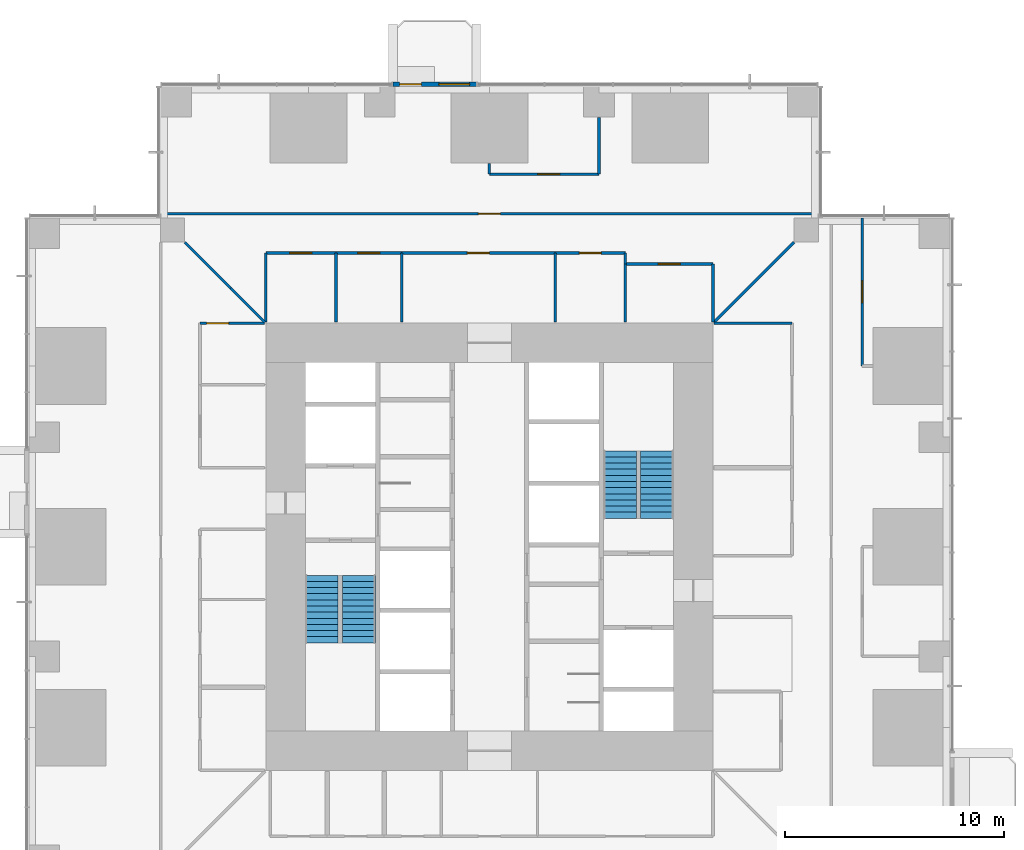
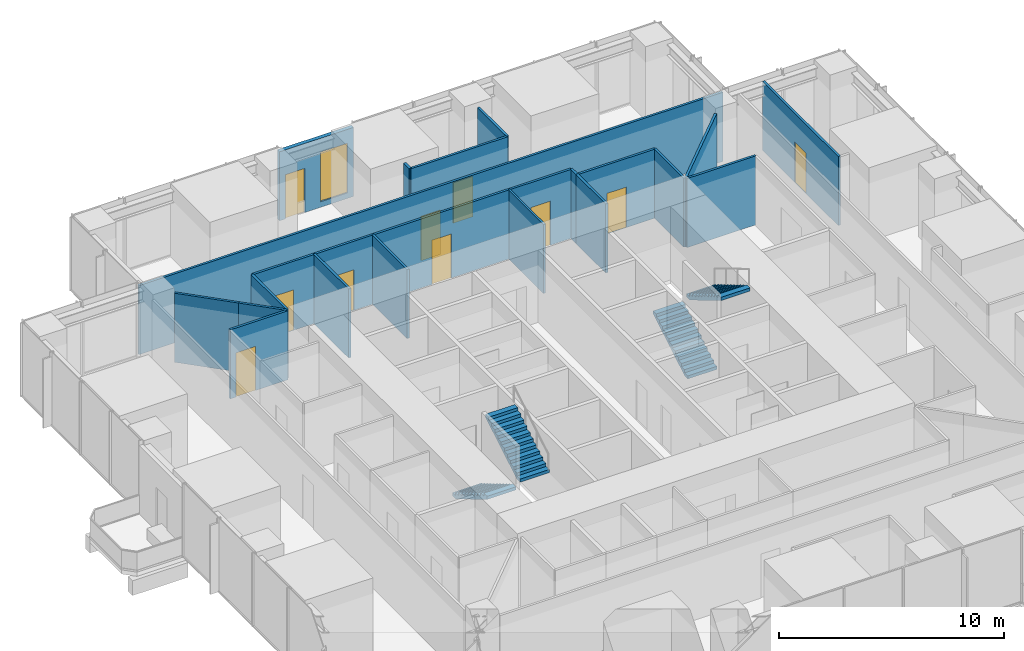
# One storey, part 12 of 15: 23 walls, 10 doors, 4 stair flights, 1 window, 11 openings, 2 elements without a shape of their own.
"""IFC4 building model written with IfcOpenShell, lengths in metres."""

from ifc_helpers import new_model, si_unit, direction, frame, frame_2d, origin, place, context, subcontext, project, spatial, polyline, rectangle, outline, extrude, material, layer, layer_set, type_object, element, fill, aggregate, save


model = new_model("IFC4")

# Units and contexts
model_context = context("Model", 3, precision=1e-05, world=origin(), true_north=direction((0.0, 1.0)))
body_context = subcontext(model_context, "Body", "Model", "MODEL_VIEW")
ifc_project = project(units=[si_unit("LENGTHUNIT", "METRE"), si_unit("AREAUNIT", "SQUARE_METRE"), si_unit("VOLUMEUNIT", "CUBIC_METRE"), si_unit("PLANEANGLEUNIT", "RADIAN"), si_unit("MASSUNIT", "GRAM", prefix="KILO")], contexts=[model_context])

# Site, building, storey
site_placement = place(None, origin())
site = spatial("IfcSite", under=ifc_project, at=site_placement, CompositionType="ELEMENT")
building_placement = place(site_placement, origin())
building = spatial("IfcBuilding", under=site, at=building_placement, Name="Svetlomir Tower", CompositionType="ELEMENT")
storey_placement = place(building_placement, frame((0.0, 0.0, 66.5)))
storey = spatial("IfcBuildingStorey", under=building, at=storey_placement, Name="L15", CompositionType="ELEMENT", Elevation=66.5)

# Wall, openings, door, window
ifc_material_1 = material(Name="Bronze anodised aluminium glazed screen", Category="aluminium")
ifc_layer_1 = layer(ifc_material_1, 0.199951171875)
ifc_layer_set_1 = layer_set([ifc_layer_1], Name="Bronze anodised aluminium glazed screen")
wall_type_1 = type_object("IfcWallType", Name="BALCONY SCREEN WALL 200", PredefinedType="USERDEFINED", material=ifc_layer_set_1)
wall_1_placement = place(storey_placement, frame((20.39990234375, 42.10009765625, 0.0), z_axis=(0.0, 0.0, 1.0), x_axis=(-1.0, 0.0, 0.0)))
wall_1 = element("IfcWall", 1, at=wall_1_placement, inside=storey, type_object=wall_type_1, Name="Balcony screen N", ObjectType="GLAZED SCREEN", PredefinedType="USERDEFINED", context=body_context, shape_type="SweptSolid", body=[
    extrude(rectangle(XDim=3.7998046875, YDim=0.199951171875, at=frame_2d((1.89990234375, 0.0))), origin(), (0.0, 0.0, 1.0), 3.75),
])
opening_1_placement = place(wall_1_placement, frame((2.5, 0.0, 0.0)))
opening_1 = element("IfcOpeningElement", 2, at=opening_1_placement, cuts=wall_1, Name="Opening BD", PredefinedType="OPENING", context=body_context, shape_type="SweptSolid", body=[
    extrude(rectangle(XDim=1.0, YDim=2.39990234375, at=frame_2d((0.5, 1.199951171875))), frame((0.0, 0.10986328125, 0.0), z_axis=(0.0, -1.0, 0.0), x_axis=(1.0, 0.0, 0.0)), (0.0, 0.0, 1.0), 0.219970703125),
])
opening_2_placement = place(wall_1_placement, frame((0.300048828125, 0.0, 0.300048828125)))
opening_2 = element("IfcOpeningElement", 3, at=opening_2_placement, cuts=wall_1, Name="Opening WS2", PredefinedType="OPENING", context=body_context, shape_type="SweptSolid", body=[
    extrude(rectangle(XDim=1.39990234375, YDim=2.699951171875, at=frame_2d((0.699951171875, 1.35009765625))), frame((0.0, 0.10986328125, 0.0), z_axis=(0.0, -1.0, 0.0), x_axis=(1.0, 0.0, 0.0)), (0.0, 0.0, 1.0), 0.219970703125),
])
ifc_material_2 = material(Name="Bronze anodised aluminium glazed door", Category="aluminium")
door_type_1 = type_object("IfcDoorType", Name="BALCONY DOOR BD 1000x2400", OperationType="SINGLE_SWING_LEFT", PredefinedType="DOOR", material=ifc_material_2)
door_1_placement = place(opening_1_placement, origin())
door_1 = element("IfcDoor", 4, at=door_1_placement, inside=storey, type_object=door_type_1, Name="Balcony screen N door", OperationType="SINGLE_SWING_LEFT", OverallHeight=2.39990234375, OverallWidth=1.0, PredefinedType="DOOR", context=body_context, shape_type="SweptSolid", body=[
    extrude(rectangle(XDim=1.0, YDim=2.39990234375, at=frame_2d((0.5, 1.199951171875))), frame((0.0, 0.02490234375, 0.0), z_axis=(0.0, -1.0, 0.0), x_axis=(1.0, 0.0, 0.0)), (0.0, 0.0, 1.0), 0.050048828125),
])
fill(opening_1, door_1)
ifc_material_3 = material(Name="Bronze anodised aluminium window", Category="aluminium")
window_type = type_object("IfcWindowType", Name="SCREEN WINDOW WS2 1400x2700", PartitioningType="SINGLE_PANEL", PredefinedType="WINDOW", material=ifc_material_3)
window_placement = place(opening_2_placement, origin())
window = element("IfcWindow", 5, at=window_placement, inside=storey, type_object=window_type, Name="Balcony screen N window 1", OverallHeight=2.699951171875, OverallWidth=1.39990234375, PartitioningType="SINGLE_PANEL", PredefinedType="WINDOW", context=body_context, shape_type="SweptSolid", body=[
    extrude(rectangle(XDim=1.39990234375, YDim=2.699951171875, at=frame_2d((0.699951171875, 1.35009765625))), frame((0.0, 0.030029296875, 0.0), z_axis=(0.0, -1.0, 0.0), x_axis=(1.0, 0.0, 0.0)), (0.0, 0.0, 1.0), 0.06005859375),
])
fill(opening_2, window)

# Wall
ifc_material_4 = material(Name="Framed laminated glass partition", Category="glass")
ifc_layer_2 = layer(ifc_material_4, 0.10009765625)
ifc_layer_set_2 = layer_set([ifc_layer_2], Name="Framed laminated glass partition")
wall_type_2 = type_object("IfcWallType", Name="GLAZED PARTITION 100", PredefinedType="PARTITIONING", material=ifc_layer_set_2)
wall_2_placement = place(storey_placement, frame((24.0, 31.25, 0.0), z_axis=(0.0, 0.0, 1.0), x_axis=(0.0, 1.0, 0.0)))
element("IfcWall", 6, at=wall_2_placement, inside=storey, type_object=wall_type_2, Name="Glazed partition L15", PredefinedType="PARTITIONING", context=body_context, shape_type="SweptSolid", body=[
    extrude(rectangle(XDim=3.14990234375, YDim=0.10009765625, at=frame_2d((1.574951171875, 0.0))), origin(), (0.0, 0.0, 1.0), 3.75),
])

# Wall, opening, door
ifc_material_5 = material(Name="Gypsum board on steel studs", Category="steel")
ifc_layer_3 = layer(ifc_material_5, 0.1201171875)
ifc_layer_set_3 = layer_set([ifc_layer_3], Name="Gypsum board on steel studs")
wall_type_3 = type_object("IfcWallType", Name="PARTITION 120", PredefinedType="PARTITIONING", material=ifc_layer_set_3)
wall_3_placement = place(storey_placement, frame((6.0, 36.199951171875, 0.0), z_axis=(0.0, 0.0, 1.0), x_axis=(1.0, 0.0, 0.0)))
wall_3 = element("IfcWall", 7, at=wall_3_placement, inside=storey, type_object=wall_type_3, Name="Partition L15", PredefinedType="PARTITIONING", context=body_context, shape_type="SweptSolid", body=[
    extrude(rectangle(XDim=30.0, YDim=0.1201171875, at=frame_2d((15.0, 0.0))), origin(), (0.0, 0.0, 1.0), 3.75),
])
opening_3_placement = place(wall_3_placement, frame((14.5, 0.0, 0.0)))
opening_3 = element("IfcOpeningElement", 8, at=opening_3_placement, cuts=wall_3, Name="Opening DG", PredefinedType="OPENING", context=body_context, shape_type="SweptSolid", body=[
    extrude(rectangle(XDim=1.0, YDim=2.39990234375, at=frame_2d((0.5, 1.199951171875))), frame((0.0, 0.070068359375, 0.0), z_axis=(0.0, -1.0, 0.0), x_axis=(1.0, 0.0, 0.0)), (0.0, 0.0, 1.0), 0.14013671875),
])
ifc_material_6 = material(Name="Framed laminated glass door", Category="glass")
door_type_2 = type_object("IfcDoorType", Name="GLAZED DOOR DG 1000x2400", OperationType="SINGLE_SWING_LEFT", PredefinedType="DOOR", material=ifc_material_6)
door_2_placement = place(opening_3_placement, origin())
door_2 = element("IfcDoor", 9, at=door_2_placement, inside=storey, type_object=door_type_2, Name="Ring corridor 4 door 1 L15", OperationType="SINGLE_SWING_RIGHT", OverallHeight=2.39990234375, OverallWidth=1.0, PredefinedType="DOOR", context=body_context, shape_type="SweptSolid", body=[
    extrude(rectangle(XDim=1.0, YDim=2.39990234375, at=frame_2d((0.5, 1.199951171875))), frame((0.0, 0.02490234375, 0.0), z_axis=(0.0, -1.0, 0.0), x_axis=(1.0, 0.0, 0.0)), (0.0, 0.0, 1.0), 0.050048828125),
])
fill(opening_3, door_2)

# Wall
wall_4_placement = place(storey_placement, frame((7.110107421875, 34.889892578125, 0.0), z_axis=(0.0, 0.0, 1.0), x_axis=(0.707106781187, -0.707106781187, 0.0)))
element("IfcWall", 10, at=wall_4_placement, inside=storey, type_object=wall_type_3, Name="Partition L15", PredefinedType="PARTITIONING", context=body_context, shape_type="SweptSolid", body=[
    extrude(rectangle(XDim=2.949951171875, YDim=0.1201171875, at=frame_2d((1.47509765625, 0.0))), origin(), (0.0, 0.0, 1.0), 3.75),
])

# Wall, opening, door
wall_5_placement = place(storey_placement, frame((7.800048828125, 31.199951171875, 0.0), z_axis=(0.0, 0.0, 1.0), x_axis=(1.0, 0.0, 0.0)))
wall_5 = element("IfcWall", 11, at=wall_5_placement, inside=storey, type_object=wall_type_3, Name="Partition L15", PredefinedType="PARTITIONING", context=body_context, shape_type="SweptSolid", body=[
    extrude(rectangle(XDim=2.949951171875, YDim=0.1201171875, at=frame_2d((1.47509765625, 0.0))), origin(), (0.0, 0.0, 1.0), 3.75),
])
opening_4_placement = place(wall_5_placement, frame((0.300048828125, 0.0, 0.0)))
opening_4 = element("IfcOpeningElement", 12, at=opening_4_placement, cuts=wall_5, Name="Opening DG", PredefinedType="OPENING", context=body_context, shape_type="SweptSolid", body=[
    extrude(rectangle(XDim=1.0, YDim=2.39990234375, at=frame_2d((0.5, 1.199951171875))), frame((0.0, 0.070068359375, 0.0), z_axis=(0.0, -1.0, 0.0), x_axis=(1.0, 0.0, 0.0)), (0.0, 0.0, 1.0), 0.14013671875),
])
door_3_placement = place(opening_4_placement, origin())
door_3 = element("IfcDoor", 13, at=door_3_placement, inside=storey, type_object=door_type_2, Name="Ring corridor 3 door 2 L15", OperationType="SINGLE_SWING_LEFT", OverallHeight=2.39990234375, OverallWidth=1.0, PredefinedType="DOOR", context=body_context, shape_type="SweptSolid", body=[
    extrude(rectangle(XDim=1.0, YDim=2.39990234375, at=frame_2d((0.5, 1.199951171875))), frame((0.0, 0.02490234375, 0.0), z_axis=(0.0, -1.0, 0.0), x_axis=(1.0, 0.0, 0.0)), (0.0, 0.0, 1.0), 0.050048828125),
])
fill(opening_4, door_3)

# Walls
wall_6_placement = place(storey_placement, frame((9.196044921875, 32.803955078125, 0.0), z_axis=(0.0, 0.0, 1.0), x_axis=(0.707106781187, -0.707106781187, 0.0)))
element("IfcWall", 14, at=wall_6_placement, inside=storey, type_object=wall_type_3, Name="Partition L15", PredefinedType="PARTITIONING", context=body_context, shape_type="SweptSolid", body=[
    extrude(rectangle(XDim=2.21826171875, YDim=0.1201171875, at=frame_2d((1.109130859375, 0.0))), origin(), (0.0, 0.0, 1.0), 3.75),
])
wall_7_placement = place(storey_placement, frame((10.800048828125, 31.25, 0.0), z_axis=(0.0, 0.0, 1.0), x_axis=(0.0, 1.0, 0.0)))
element("IfcWall", 15, at=wall_7_placement, inside=storey, type_object=wall_type_3, Name="Partition L15", PredefinedType="PARTITIONING", context=body_context, shape_type="SweptSolid", body=[
    extrude(rectangle(XDim=3.14990234375, YDim=0.1201171875, at=frame_2d((1.574951171875, 0.0))), origin(), (0.0, 0.0, 1.0), 3.75),
])

# Wall, opening, door
wall_8_placement = place(storey_placement, frame((10.800048828125, 34.39990234375, 0.0), z_axis=(0.0, 0.0, 1.0), x_axis=(1.0, 0.0, 0.0)))
wall_8 = element("IfcWall", 16, at=wall_8_placement, inside=storey, type_object=wall_type_3, Name="Partition L15", PredefinedType="PARTITIONING", context=body_context, shape_type="SweptSolid", body=[
    extrude(rectangle(XDim=3.199951171875, YDim=0.1201171875, at=frame_2d((1.60009765625, 0.0))), origin(), (0.0, 0.0, 1.0), 3.75),
])
opening_5_placement = place(wall_8_placement, frame((1.10009765625, 0.0, 0.0)))
opening_5 = element("IfcOpeningElement", 17, at=opening_5_placement, cuts=wall_8, Name="Opening DR", PredefinedType="OPENING", context=body_context, shape_type="SweptSolid", body=[
    extrude(rectangle(XDim=1.0, YDim=2.199951171875, at=frame_2d((0.5, 1.10009765625))), frame((0.0, 0.070068359375, 0.0), z_axis=(0.0, -1.0, 0.0), x_axis=(1.0, 0.0, 0.0)), (0.0, 0.0, 1.0), 0.14013671875),
])
ifc_material_7 = material(Name="Timber door, glazed side light", Category="wood")
door_type_3 = type_object("IfcDoorType", Name="DOOR DR 1000x2200", OperationType="SINGLE_SWING_LEFT", PredefinedType="DOOR", material=ifc_material_7)
door_4_placement = place(opening_5_placement, origin())
door_4 = element("IfcDoor", 18, at=door_4_placement, inside=storey, type_object=door_type_3, Name="Wellness room door L15", OperationType="SINGLE_SWING_LEFT", OverallHeight=2.199951171875, OverallWidth=1.0, PredefinedType="DOOR", context=body_context, shape_type="SweptSolid", body=[
    extrude(rectangle(XDim=1.0, YDim=2.199951171875, at=frame_2d((0.5, 1.10009765625))), frame((0.0, 0.02490234375, 0.0), z_axis=(0.0, -1.0, 0.0), x_axis=(1.0, 0.0, 0.0)), (0.0, 0.0, 1.0), 0.050048828125),
])
fill(opening_5, door_4)

# Wall
wall_9_placement = place(storey_placement, frame((14.0, 31.25, 0.0), z_axis=(0.0, 0.0, 1.0), x_axis=(0.0, 1.0, 0.0)))
element("IfcWall", 19, at=wall_9_placement, inside=storey, type_object=wall_type_3, Name="Partition L15", PredefinedType="PARTITIONING", context=body_context, shape_type="SweptSolid", body=[
    extrude(rectangle(XDim=3.14990234375, YDim=0.1201171875, at=frame_2d((1.574951171875, 0.0))), origin(), (0.0, 0.0, 1.0), 3.75),
])

# Wall, opening, door
wall_10_placement = place(storey_placement, frame((14.0, 34.39990234375, 0.0), z_axis=(0.0, 0.0, 1.0), x_axis=(1.0, 0.0, 0.0)))
wall_10 = element("IfcWall", 20, at=wall_10_placement, inside=storey, type_object=wall_type_3, Name="Partition L15", PredefinedType="PARTITIONING", context=body_context, shape_type="SweptSolid", body=[
    extrude(rectangle(XDim=3.0, YDim=0.1201171875, at=frame_2d((1.5, 0.0))), origin(), (0.0, 0.0, 1.0), 3.75),
])
opening_6_placement = place(wall_10_placement, frame((1.0, 0.0, 0.0)))
opening_6 = element("IfcOpeningElement", 21, at=opening_6_placement, cuts=wall_10, Name="Opening DR", PredefinedType="OPENING", context=body_context, shape_type="SweptSolid", body=[
    extrude(rectangle(XDim=1.0, YDim=2.199951171875, at=frame_2d((0.5, 1.10009765625))), frame((0.0, 0.070068359375, 0.0), z_axis=(0.0, -1.0, 0.0), x_axis=(1.0, 0.0, 0.0)), (0.0, 0.0, 1.0), 0.14013671875),
])
door_5_placement = place(opening_6_placement, origin())
door_5 = element("IfcDoor", 22, at=door_5_placement, inside=storey, type_object=door_type_3, Name="Parents' room door L15", OperationType="SINGLE_SWING_RIGHT", OverallHeight=2.199951171875, OverallWidth=1.0, PredefinedType="DOOR", context=body_context, shape_type="SweptSolid", body=[
    extrude(rectangle(XDim=1.0, YDim=2.199951171875, at=frame_2d((0.5, 1.10009765625))), frame((0.0, 0.02490234375, 0.0), z_axis=(0.0, -1.0, 0.0), x_axis=(1.0, 0.0, 0.0)), (0.0, 0.0, 1.0), 0.050048828125),
])
fill(opening_6, door_5)

# Wall
wall_11_placement = place(storey_placement, frame((17.0, 31.25, 0.0), z_axis=(0.0, 0.0, 1.0), x_axis=(0.0, 1.0, 0.0)))
element("IfcWall", 23, at=wall_11_placement, inside=storey, type_object=wall_type_3, Name="Partition L15", PredefinedType="PARTITIONING", context=body_context, shape_type="SweptSolid", body=[
    extrude(rectangle(XDim=3.14990234375, YDim=0.1201171875, at=frame_2d((1.574951171875, 0.0))), origin(), (0.0, 0.0, 1.0), 3.75),
])

# Wall, opening, door
wall_12_placement = place(storey_placement, frame((17.0, 34.39990234375, 0.0), z_axis=(0.0, 0.0, 1.0), x_axis=(1.0, 0.0, 0.0)))
wall_12 = element("IfcWall", 24, at=wall_12_placement, inside=storey, type_object=wall_type_3, Name="Partition L15", PredefinedType="PARTITIONING", context=body_context, shape_type="SweptSolid", body=[
    extrude(rectangle(XDim=7.0, YDim=0.1201171875, at=frame_2d((3.5, 0.0))), origin(), (0.0, 0.0, 1.0), 3.75),
])
opening_7_placement = place(wall_12_placement, frame((3.0, 0.0, 0.0)))
opening_7 = element("IfcOpeningElement", 25, at=opening_7_placement, cuts=wall_12, Name="Opening DG", PredefinedType="OPENING", context=body_context, shape_type="SweptSolid", body=[
    extrude(rectangle(XDim=1.0, YDim=2.39990234375, at=frame_2d((0.5, 1.199951171875))), frame((0.0, 0.070068359375, 0.0), z_axis=(0.0, -1.0, 0.0), x_axis=(1.0, 0.0, 0.0)), (0.0, 0.0, 1.0), 0.14013671875),
])
door_6_placement = place(opening_7_placement, origin())
door_6 = element("IfcDoor", 26, at=door_6_placement, inside=storey, type_object=door_type_2, Name="Ring corridor 4 door 2 L15", OperationType="SINGLE_SWING_LEFT", OverallHeight=2.39990234375, OverallWidth=1.0, PredefinedType="DOOR", context=body_context, shape_type="SweptSolid", body=[
    extrude(rectangle(XDim=1.0, YDim=2.39990234375, at=frame_2d((0.5, 1.199951171875))), frame((0.0, 0.02490234375, 0.0), z_axis=(0.0, -1.0, 0.0), x_axis=(1.0, 0.0, 0.0)), (0.0, 0.0, 1.0), 0.050048828125),
])
fill(opening_7, door_6)

# Wall
wall_13_placement = place(storey_placement, frame((21.0, 38.0, 0.0), z_axis=(0.0, 0.0, 1.0), x_axis=(0.0, 1.0, 0.0)))
element("IfcWall", 27, at=wall_13_placement, inside=storey, type_object=wall_type_3, Name="Partition L15", PredefinedType="PARTITIONING", context=body_context, shape_type="SweptSolid", body=[
    extrude(rectangle(XDim=0.489990234375, YDim=0.1201171875, at=frame_2d((0.2451171875, 0.0))), origin(), (0.0, 0.0, 1.0), 3.75),
])

# Wall, opening, door
wall_14_placement = place(storey_placement, frame((21.0, 38.0, 0.0), z_axis=(0.0, 0.0, 1.0), x_axis=(1.0, 0.0, 0.0)))
wall_14 = element("IfcWall", 28, at=wall_14_placement, inside=storey, type_object=wall_type_3, Name="Partition L15", PredefinedType="PARTITIONING", context=body_context, shape_type="SweptSolid", body=[
    extrude(rectangle(XDim=5.0, YDim=0.1201171875, at=frame_2d((2.5, 0.0))), origin(), (0.0, 0.0, 1.0), 3.75),
])
opening_8_placement = place(wall_14_placement, frame((2.199951171875, 0.0, 0.0)))
opening_8 = element("IfcOpeningElement", 29, at=opening_8_placement, cuts=wall_14, Name="Opening DR", PredefinedType="OPENING", context=body_context, shape_type="SweptSolid", body=[
    extrude(rectangle(XDim=1.0, YDim=2.199951171875, at=frame_2d((0.5, 1.10009765625))), frame((0.0, 0.070068359375, 0.0), z_axis=(0.0, -1.0, 0.0), x_axis=(1.0, 0.0, 0.0)), (0.0, 0.0, 1.0), 0.14013671875),
])
door_7_placement = place(opening_8_placement, origin())
door_7 = element("IfcDoor", 30, at=door_7_placement, inside=storey, type_object=door_type_3, Name="Learning partner office door L15", OperationType="SINGLE_SWING_LEFT", OverallHeight=2.199951171875, OverallWidth=1.0, PredefinedType="DOOR", context=body_context, shape_type="SweptSolid", body=[
    extrude(rectangle(XDim=1.0, YDim=2.199951171875, at=frame_2d((0.5, 1.10009765625))), frame((0.0, 0.02490234375, 0.0), z_axis=(0.0, -1.0, 0.0), x_axis=(1.0, 0.0, 0.0)), (0.0, 0.0, 1.0), 0.050048828125),
])
fill(opening_8, door_7)

wall_15_placement = place(storey_placement, frame((24.0, 34.39990234375, 0.0), z_axis=(0.0, 0.0, 1.0), x_axis=(1.0, 0.0, 0.0)))
wall_15 = element("IfcWall", 31, at=wall_15_placement, inside=storey, type_object=wall_type_3, Name="Partition L15", PredefinedType="PARTITIONING", context=body_context, shape_type="SweptSolid", body=[
    extrude(rectangle(XDim=3.199951171875, YDim=0.1201171875, at=frame_2d((1.60009765625, 0.0))), origin(), (0.0, 0.0, 1.0), 3.75),
])
opening_9_placement = place(wall_15_placement, frame((1.10009765625, 0.0, 0.0)))
opening_9 = element("IfcOpeningElement", 32, at=opening_9_placement, cuts=wall_15, Name="Opening DG", PredefinedType="OPENING", context=body_context, shape_type="SweptSolid", body=[
    extrude(rectangle(XDim=1.0, YDim=2.39990234375, at=frame_2d((0.5, 1.199951171875))), frame((0.0, 0.070068359375, 0.0), z_axis=(0.0, -1.0, 0.0), x_axis=(1.0, 0.0, 0.0)), (0.0, 0.0, 1.0), 0.14013671875),
])
door_8_placement = place(opening_9_placement, origin())
door_8 = element("IfcDoor", 33, at=door_8_placement, inside=storey, type_object=door_type_2, Name="Focus room door L15", OperationType="SINGLE_SWING_LEFT", OverallHeight=2.39990234375, OverallWidth=1.0, PredefinedType="DOOR", context=body_context, shape_type="SweptSolid", body=[
    extrude(rectangle(XDim=1.0, YDim=2.39990234375, at=frame_2d((0.5, 1.199951171875))), frame((0.0, 0.02490234375, 0.0), z_axis=(0.0, -1.0, 0.0), x_axis=(1.0, 0.0, 0.0)), (0.0, 0.0, 1.0), 0.050048828125),
])
fill(opening_9, door_8)

# Walls
wall_16_placement = place(storey_placement, frame((26.0, 38.0, 0.0), z_axis=(0.0, 0.0, 1.0), x_axis=(0.0, 1.0, 0.0)))
element("IfcWall", 34, at=wall_16_placement, inside=storey, type_object=wall_type_3, Name="Partition L15", PredefinedType="PARTITIONING", context=body_context, shape_type="SweptSolid", body=[
    extrude(rectangle(XDim=2.590087890625, YDim=0.1201171875, at=frame_2d((1.294921875, 0.0))), origin(), (0.0, 0.0, 1.0), 3.75),
])
wall_17_placement = place(storey_placement, frame((27.199951171875, 31.25, 0.0), z_axis=(0.0, 0.0, 1.0), x_axis=(0.0, 1.0, 0.0)))
element("IfcWall", 35, at=wall_17_placement, inside=storey, type_object=wall_type_3, Name="Partition L15", PredefinedType="PARTITIONING", context=body_context, shape_type="SweptSolid", body=[
    extrude(rectangle(XDim=2.64990234375, YDim=0.1201171875, at=frame_2d((1.324951171875, 0.0))), origin(), (0.0, 0.0, 1.0), 3.75),
])
wall_18_placement = place(storey_placement, frame((27.199951171875, 33.89990234375, 0.0), z_axis=(0.0, 0.0, 1.0), x_axis=(0.0, 1.0, 0.0)))
element("IfcWall", 36, at=wall_18_placement, inside=storey, type_object=wall_type_3, Name="Partition L15", PredefinedType="PARTITIONING", context=body_context, shape_type="SweptSolid", body=[
    extrude(rectangle(XDim=0.5, YDim=0.1201171875, at=frame_2d((0.25, 0.0))), origin(), (0.0, 0.0, 1.0), 3.75),
])

# Wall, opening, door
wall_19_placement = place(storey_placement, frame((27.199951171875, 33.89990234375, 0.0), z_axis=(0.0, 0.0, 1.0), x_axis=(1.0, 0.0, 0.0)))
wall_19 = element("IfcWall", 37, at=wall_19_placement, inside=storey, type_object=wall_type_3, Name="Partition L15", PredefinedType="PARTITIONING", context=body_context, shape_type="SweptSolid", body=[
    extrude(rectangle(XDim=4.0, YDim=0.1201171875, at=frame_2d((2.0, 0.0))), origin(), (0.0, 0.0, 1.0), 3.75),
])
opening_10_placement = place(wall_19_placement, frame((1.5, 0.0, 0.0)))
opening_10 = element("IfcOpeningElement", 38, at=opening_10_placement, cuts=wall_19, Name="Opening DR", PredefinedType="OPENING", context=body_context, shape_type="SweptSolid", body=[
    extrude(rectangle(XDim=1.0, YDim=2.199951171875, at=frame_2d((0.5, 1.10009765625))), frame((0.0, 0.070068359375, 0.0), z_axis=(0.0, -1.0, 0.0), x_axis=(1.0, 0.0, 0.0)), (0.0, 0.0, 1.0), 0.14013671875),
])
door_9_placement = place(opening_10_placement, origin())
door_9 = element("IfcDoor", 39, at=door_9_placement, inside=storey, type_object=door_type_3, Name="Print and copy room door L15", OperationType="SINGLE_SWING_RIGHT", OverallHeight=2.199951171875, OverallWidth=1.0, PredefinedType="DOOR", context=body_context, shape_type="SweptSolid", body=[
    extrude(rectangle(XDim=1.0, YDim=2.199951171875, at=frame_2d((0.5, 1.10009765625))), frame((0.0, 0.02490234375, 0.0), z_axis=(0.0, -1.0, 0.0), x_axis=(1.0, 0.0, 0.0)), (0.0, 0.0, 1.0), 0.050048828125),
])
fill(opening_10, door_9)

# Walls
wall_20_placement = place(storey_placement, frame((31.199951171875, 31.25, 0.0), z_axis=(0.0, 0.0, 1.0), x_axis=(0.0, 1.0, 0.0)))
element("IfcWall", 40, at=wall_20_placement, inside=storey, type_object=wall_type_3, Name="Partition L15", PredefinedType="PARTITIONING", context=body_context, shape_type="SweptSolid", body=[
    extrude(rectangle(XDim=2.64990234375, YDim=0.1201171875, at=frame_2d((1.324951171875, 0.0))), origin(), (0.0, 0.0, 1.0), 3.75),
])
wall_21_placement = place(storey_placement, frame((31.2353515625, 31.2353515625, 0.0), z_axis=(0.0, 0.0, 1.0), x_axis=(0.707106781187, 0.707106781187, 0.0)))
element("IfcWall", 41, at=wall_21_placement, inside=storey, type_object=wall_type_3, Name="Partition L15", PredefinedType="PARTITIONING", context=body_context, shape_type="SweptSolid", body=[
    extrude(rectangle(XDim=5.168212890625, YDim=0.1201171875, at=frame_2d((2.583984375, 0.0))), origin(), (0.0, 0.0, 1.0), 3.75),
])
wall_22_placement = place(storey_placement, frame((31.25, 31.199951171875, 0.0), z_axis=(0.0, 0.0, 1.0), x_axis=(1.0, 0.0, 0.0)))
element("IfcWall", 42, at=wall_22_placement, inside=storey, type_object=wall_type_3, Name="Partition L15", PredefinedType="PARTITIONING", context=body_context, shape_type="SweptSolid", body=[
    extrude(rectangle(XDim=3.550048828125, YDim=0.1201171875, at=frame_2d((1.77490234375, 0.0))), origin(), (0.0, 0.0, 1.0), 3.75),
])

# Wall, opening, door
wall_23_placement = place(storey_placement, frame((38.0, 29.25, 0.0), z_axis=(0.0, 0.0, 1.0), x_axis=(0.0, 1.0, 0.0)))
wall_23 = element("IfcWall", 43, at=wall_23_placement, inside=storey, type_object=wall_type_3, Name="Partition L15", PredefinedType="PARTITIONING", context=body_context, shape_type="SweptSolid", body=[
    extrude(rectangle(XDim=6.75, YDim=0.1201171875, at=frame_2d((3.375, 0.0))), origin(), (0.0, 0.0, 1.0), 3.75),
])
opening_11_placement = place(wall_23_placement, frame((2.875, 0.0, 0.0)))
opening_11 = element("IfcOpeningElement", 44, at=opening_11_placement, cuts=wall_23, Name="Opening DR", PredefinedType="OPENING", context=body_context, shape_type="SweptSolid", body=[
    extrude(rectangle(XDim=1.0, YDim=2.199951171875, at=frame_2d((0.5, 1.10009765625))), frame((0.0, 0.070068359375, 0.0), z_axis=(0.0, -1.0, 0.0), x_axis=(1.0, 0.0, 0.0)), (0.0, 0.0, 1.0), 0.14013671875),
])
door_10_placement = place(opening_11_placement, origin())
door_10 = element("IfcDoor", 45, at=door_10_placement, inside=storey, type_object=door_type_3, Name="HR director office door L15", OperationType="SINGLE_SWING_RIGHT", OverallHeight=2.199951171875, OverallWidth=1.0, PredefinedType="DOOR", context=body_context, shape_type="SweptSolid", body=[
    extrude(rectangle(XDim=1.0, YDim=2.199951171875, at=frame_2d((0.5, 1.10009765625))), frame((0.0, 0.02490234375, 0.0), z_axis=(0.0, -1.0, 0.0), x_axis=(1.0, 0.0, 0.0)), (0.0, 0.0, 1.0), 0.050048828125),
])
fill(opening_11, door_10)

# Stair, stair flights
ifc_material_8 = material(Name="Concrete C60/75", Category="concrete")
stair_type = type_object("IfcStairType", Name="EXIT STAIR 3200 RISE 4000", PredefinedType="HALF_TURN_STAIR", material=ifc_material_8)
stair_1_placement = place(storey_placement, origin())
stair_1 = element("IfcStair", 46, at=stair_1_placement, inside=storey, type_object=stair_type, Name="Stair S1 L15 to L16", PredefinedType="HALF_TURN_STAIR")
ifc_material_9 = material(Name="Concrete C60/75", Category="concrete")
stair_flight_type = type_object("IfcStairFlightType", Name="STAIR FLIGHT 1500 OF 12 RISERS", PredefinedType="STRAIGHT", material=ifc_material_9)
stair_flight_1_placement = place(storey_placement, frame((13.35009765625, 19.699951171875, 0.0), z_axis=(0.0, 0.0, 1.0), x_axis=(0.0, -1.0, 0.0)))
stair_flight_1 = element("IfcStairFlight", 47, at=stair_flight_1_placement, type_object=stair_flight_type, Name="S1 flight 1", NumberOfRisers=12, NumberOfTreads=11, PredefinedType="STRAIGHT", RiserHeight=0.166666667, TreadLength=0.28, context=body_context, shape_type="SweptSolid", body=[
    extrude(outline(polyline([(0.0, 0.0), (0.0, 0.166748046875), (0.280029296875, 0.166748046875), (0.280029296875, 0.333251953125), (0.56005859375, 0.333251953125), (0.56005859375, 0.5), (0.840087890625, 0.5), (0.840087890625, 0.666748046875), (1.1201171875, 0.666748046875), (1.1201171875, 0.833251953125), (1.39990234375, 0.833251953125), (1.39990234375, 1.0), (1.679931640625, 1.0), (1.679931640625, 1.166748046875), (1.9599609375, 1.166748046875), (1.9599609375, 1.333251953125), (2.239990234375, 1.333251953125), (2.239990234375, 1.5), (2.52001953125, 1.5), (2.52001953125, 1.666748046875), (2.800048828125, 1.666748046875), (2.800048828125, 1.833251953125), (3.080078125, 1.833251953125), (3.080078125, 2.0), (3.080078125, 1.658935546875), (0.29296875, 0.0), (0.0, 0.0)])), frame((0.0, 0.75, 0.0), z_axis=(0.0, -1.0, 0.0), x_axis=(1.0, 0.0, 0.0)), (0.0, 0.0, 1.0), 1.5),
])
stair_flight_2_placement = place(storey_placement, frame((15.050048828125, 16.6201171875, 2.0), z_axis=(0.0, 0.0, 1.0), x_axis=(0.0, 1.0, 0.0)))
stair_flight_2 = element("IfcStairFlight", 48, at=stair_flight_2_placement, type_object=stair_flight_type, Name="S1 flight 2", NumberOfRisers=12, NumberOfTreads=11, PredefinedType="STRAIGHT", RiserHeight=0.166666667, TreadLength=0.28, context=body_context, shape_type="SweptSolid", body=[
    extrude(outline(polyline([(0.0, 0.0), (0.0, 0.166748046875), (0.280029296875, 0.166748046875), (0.280029296875, 0.333251953125), (0.56005859375, 0.333251953125), (0.56005859375, 0.5), (0.840087890625, 0.5), (0.840087890625, 0.666748046875), (1.1201171875, 0.666748046875), (1.1201171875, 0.833251953125), (1.39990234375, 0.833251953125), (1.39990234375, 1.0), (1.679931640625, 1.0), (1.679931640625, 1.166748046875), (1.9599609375, 1.166748046875), (1.9599609375, 1.333251953125), (2.239990234375, 1.333251953125), (2.239990234375, 1.5), (2.52001953125, 1.5), (2.52001953125, 1.666748046875), (2.800048828125, 1.666748046875), (2.800048828125, 1.833251953125), (3.080078125, 1.833251953125), (3.080078125, 2.0), (3.080078125, 1.658935546875), (0.29296875, 0.0), (0.0, 0.0)])), frame((0.0, 0.75, 0.0), z_axis=(0.0, -1.0, 0.0), x_axis=(1.0, 0.0, 0.0)), (0.0, 0.0, 1.0), 1.5),
])
aggregate(stair_1, [stair_flight_1, stair_flight_2])

stair_2_placement = place(storey_placement, origin())
stair_2 = element("IfcStair", 49, at=stair_2_placement, inside=storey, type_object=stair_type, Name="Stair S2 L15 to L16", PredefinedType="HALF_TURN_STAIR")
stair_flight_3_placement = place(storey_placement, frame((26.949951171875, 22.300048828125, 0.0), z_axis=(0.0, 0.0, 1.0), x_axis=(0.0, 1.0, 0.0)))
stair_flight_3 = element("IfcStairFlight", 50, at=stair_flight_3_placement, type_object=stair_flight_type, Name="S2 flight 1", NumberOfRisers=12, NumberOfTreads=11, PredefinedType="STRAIGHT", RiserHeight=0.166666667, TreadLength=0.28, context=body_context, shape_type="SweptSolid", body=[
    extrude(outline(polyline([(0.0, 0.0), (0.0, 0.166748046875), (0.280029296875, 0.166748046875), (0.280029296875, 0.333251953125), (0.56005859375, 0.333251953125), (0.56005859375, 0.5), (0.840087890625, 0.5), (0.840087890625, 0.666748046875), (1.1201171875, 0.666748046875), (1.1201171875, 0.833251953125), (1.39990234375, 0.833251953125), (1.39990234375, 1.0), (1.679931640625, 1.0), (1.679931640625, 1.166748046875), (1.9599609375, 1.166748046875), (1.9599609375, 1.333251953125), (2.239990234375, 1.333251953125), (2.239990234375, 1.5), (2.52001953125, 1.5), (2.52001953125, 1.666748046875), (2.800048828125, 1.666748046875), (2.800048828125, 1.833251953125), (3.080078125, 1.833251953125), (3.080078125, 2.0), (3.080078125, 1.658935546875), (0.29296875, 0.0), (0.0, 0.0)])), frame((0.0, 0.75, 0.0), z_axis=(0.0, -1.0, 0.0), x_axis=(1.0, 0.0, 0.0)), (0.0, 0.0, 1.0), 1.5),
])
stair_flight_4_placement = place(storey_placement, frame((28.64990234375, 25.3798828125, 2.0), z_axis=(0.0, 0.0, 1.0), x_axis=(0.0, -1.0, 0.0)))
stair_flight_4 = element("IfcStairFlight", 51, at=stair_flight_4_placement, type_object=stair_flight_type, Name="S2 flight 2", NumberOfRisers=12, NumberOfTreads=11, PredefinedType="STRAIGHT", RiserHeight=0.166666667, TreadLength=0.28, context=body_context, shape_type="SweptSolid", body=[
    extrude(outline(polyline([(0.0, 0.0), (0.0, 0.166748046875), (0.280029296875, 0.166748046875), (0.280029296875, 0.333251953125), (0.56005859375, 0.333251953125), (0.56005859375, 0.5), (0.840087890625, 0.5), (0.840087890625, 0.666748046875), (1.1201171875, 0.666748046875), (1.1201171875, 0.833251953125), (1.39990234375, 0.833251953125), (1.39990234375, 1.0), (1.679931640625, 1.0), (1.679931640625, 1.166748046875), (1.9599609375, 1.166748046875), (1.9599609375, 1.333251953125), (2.239990234375, 1.333251953125), (2.239990234375, 1.5), (2.52001953125, 1.5), (2.52001953125, 1.666748046875), (2.800048828125, 1.666748046875), (2.800048828125, 1.833251953125), (3.080078125, 1.833251953125), (3.080078125, 2.0), (3.080078125, 1.658935546875), (0.29296875, 0.0), (0.0, 0.0)])), frame((0.0, 0.75, 0.0), z_axis=(0.0, -1.0, 0.0), x_axis=(1.0, 0.0, 0.0)), (0.0, 0.0, 1.0), 1.5),
])
aggregate(stair_2, [stair_flight_3, stair_flight_4])

save(model, "model.ifc")
